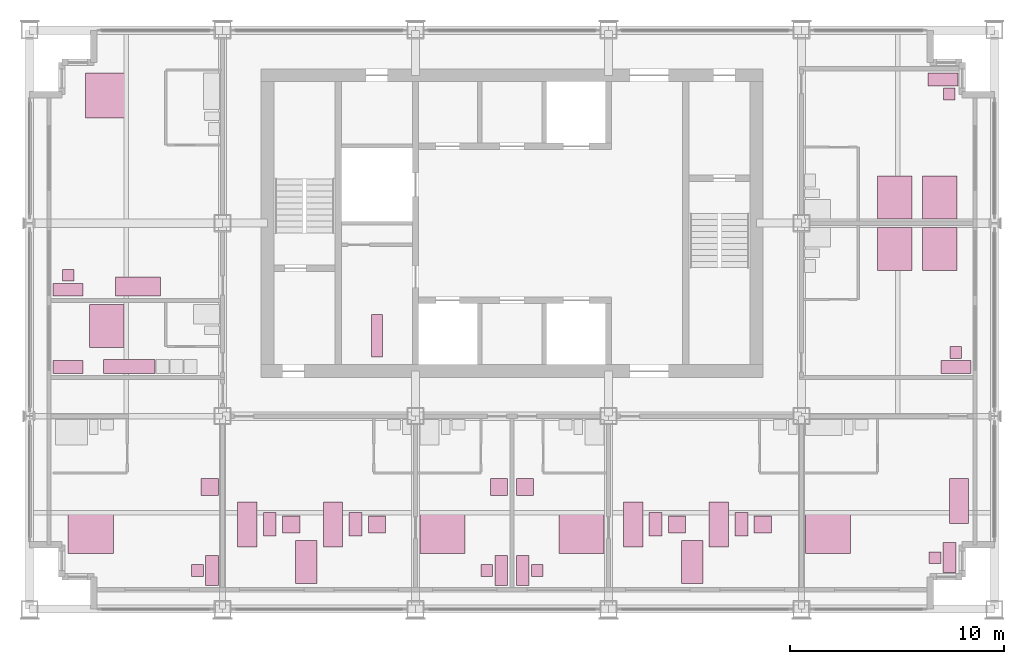
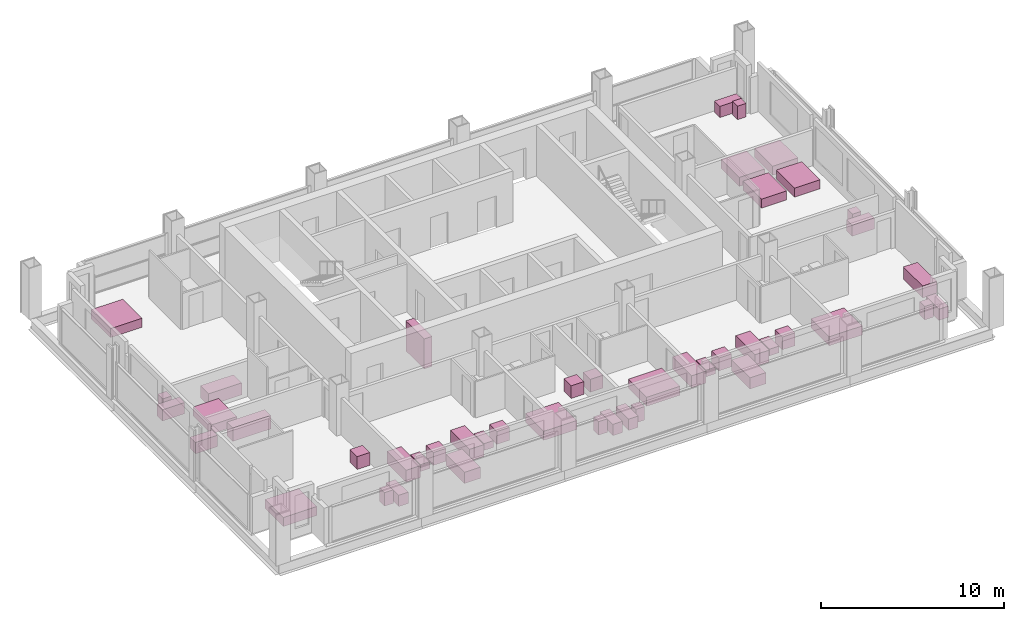
# One storey, part 13 of 13: 46 furniture elements.
"""IFC4 building model written with IfcOpenShell, lengths in metres."""

from ifc_helpers import new_model, si_unit, direction, frame, origin, origin_2d, place, context, subcontext, project, spatial, rectangle, extrude, element, save


model = new_model("IFC4")

# Units and contexts
model_context = context("Model", 3, precision=1e-05, world=origin(), true_north=direction((0.0, 1.0)))
body_context = subcontext(model_context, "Body", "Model", "MODEL_VIEW")
ifc_project = project(units=[si_unit("LENGTHUNIT", "METRE"), si_unit("AREAUNIT", "SQUARE_METRE"), si_unit("VOLUMEUNIT", "CUBIC_METRE"), si_unit("PLANEANGLEUNIT", "RADIAN"), si_unit("MASSUNIT", "GRAM", prefix="KILO")], contexts=[model_context])

# Site, building, storey
site_placement = place(None, origin())
site = spatial("IfcSite", under=ifc_project, at=site_placement, CompositionType="ELEMENT")
building_placement = place(site_placement, origin())
building = spatial("IfcBuilding", under=site, at=building_placement, Name="Loomwork Tower", CompositionType="ELEMENT")
storey_placement = place(building_placement, frame((0.0, 0.0, 214.800048828125)))
storey = spatial("IfcBuildingStorey", under=building, at=storey_placement, Name="L59", CompositionType="ELEMENT", Elevation=214.800048828125)

# Furniture
furniture_1_placement = place(storey_placement, frame((2.85009765625, 3.60009765625, 0.0), z_axis=(0.0, 0.0, 1.0), x_axis=(1.0, 0.0, 0.0)))
element("IfcFurniture", 1, at=furniture_1_placement, inside=storey, Name="King bed L59", PredefinedType="BED", context=body_context, shape_type="SweptSolid", body=[
    extrude(rectangle(XDim=2.10009765625, YDim=2.0, at=origin_2d()), origin(), (0.0, 0.0, 1.0), 0.60009765625),
])
furniture_2_placement = place(storey_placement, frame((8.5, 1.800048828125, 0.0), z_axis=(0.0, 0.0, 1.0), x_axis=(1.0, 0.0, 0.0)))
element("IfcFurniture", 2, at=furniture_2_placement, inside=storey, Name="Writing desk L59", PredefinedType="DESK", context=body_context, shape_type="SweptSolid", body=[
    extrude(rectangle(XDim=0.60009765625, YDim=1.39990234375, at=origin_2d()), origin(), (0.0, 0.0, 1.0), 0.75),
])
furniture_3_placement = place(storey_placement, frame((7.824951171875, 1.800048828125, 0.0), z_axis=(0.0, 0.0, 1.0), x_axis=(1.0, 0.0, 0.0)))
element("IfcFurniture", 3, at=furniture_3_placement, inside=storey, Name="Desk chair L59", PredefinedType="CHAIR", context=body_context, shape_type="SweptSolid", body=[
    extrude(rectangle(XDim=0.550048828125, YDim=0.550048828125, at=origin_2d()), origin(), (0.0, 0.0, 1.0), 0.89990234375),
])
furniture_4_placement = place(storey_placement, frame((8.39990234375, 5.699951171875, 0.0), z_axis=(0.0, 0.0, 1.0), x_axis=(1.0, 0.0, 0.0)))
element("IfcFurniture", 4, at=furniture_4_placement, inside=storey, Name="Lounge armchair L59", PredefinedType="CHAIR", context=body_context, shape_type="SweptSolid", body=[
    extrude(rectangle(XDim=0.800048828125, YDim=0.800048828125, at=origin_2d()), origin(), (0.0, 0.0, 1.0), 0.85009765625),
])
furniture_5_placement = place(storey_placement, frame((10.14990234375, 3.949951171875, 0.0), z_axis=(0.0, 0.0, 1.0), x_axis=(1.0, 0.0, 0.0)))
element("IfcFurniture", 5, at=furniture_5_placement, inside=storey, Name="Sofa L59", PredefinedType="SOFA", context=body_context, shape_type="SweptSolid", body=[
    extrude(rectangle(XDim=0.89990234375, YDim=2.10009765625, at=origin_2d()), origin(), (0.0, 0.0, 1.0), 0.800048828125),
])
furniture_6_placement = place(storey_placement, frame((11.199951171875, 3.949951171875, 0.0), z_axis=(0.0, 0.0, 1.0), x_axis=(1.0, 0.0, 0.0)))
element("IfcFurniture", 6, at=furniture_6_placement, inside=storey, Name="Coffee table L59", PredefinedType="TABLE", context=body_context, shape_type="SweptSolid", body=[
    extrude(rectangle(XDim=0.60009765625, YDim=1.10009765625, at=origin_2d()), origin(), (0.0, 0.0, 1.0), 0.449951171875),
])
furniture_7_placement = place(storey_placement, frame((12.199951171875, 3.949951171875, 0.0), z_axis=(0.0, 0.0, 1.0), x_axis=(1.0, 0.0, 0.0)))
element("IfcFurniture", 7, at=furniture_7_placement, inside=storey, Name="Lounge armchair L59", PredefinedType="CHAIR", context=body_context, shape_type="SweptSolid", body=[
    extrude(rectangle(XDim=0.800048828125, YDim=0.800048828125, at=origin_2d()), origin(), (0.0, 0.0, 1.0), 0.85009765625),
])
furniture_8_placement = place(storey_placement, frame((14.14990234375, 3.949951171875, 0.0), z_axis=(0.0, 0.0, 1.0), x_axis=(1.0, 0.0, 0.0)))
element("IfcFurniture", 8, at=furniture_8_placement, inside=storey, Name="Sofa L59", PredefinedType="SOFA", context=body_context, shape_type="SweptSolid", body=[
    extrude(rectangle(XDim=0.89990234375, YDim=2.10009765625, at=origin_2d()), origin(), (0.0, 0.0, 1.0), 0.800048828125),
])
furniture_9_placement = place(storey_placement, frame((15.199951171875, 3.949951171875, 0.0), z_axis=(0.0, 0.0, 1.0), x_axis=(1.0, 0.0, 0.0)))
element("IfcFurniture", 9, at=furniture_9_placement, inside=storey, Name="Coffee table L59", PredefinedType="TABLE", context=body_context, shape_type="SweptSolid", body=[
    extrude(rectangle(XDim=0.60009765625, YDim=1.10009765625, at=origin_2d()), origin(), (0.0, 0.0, 1.0), 0.449951171875),
])
furniture_10_placement = place(storey_placement, frame((16.199951171875, 3.949951171875, 0.0), z_axis=(0.0, 0.0, 1.0), x_axis=(1.0, 0.0, 0.0)))
element("IfcFurniture", 10, at=furniture_10_placement, inside=storey, Name="Lounge armchair L59", PredefinedType="CHAIR", context=body_context, shape_type="SweptSolid", body=[
    extrude(rectangle(XDim=0.800048828125, YDim=0.800048828125, at=origin_2d()), origin(), (0.0, 0.0, 1.0), 0.85009765625),
])
furniture_11_placement = place(storey_placement, frame((12.89990234375, 2.199951171875, 0.0), z_axis=(0.0, 0.0, 1.0), x_axis=(1.0, 0.0, 0.0)))
element("IfcFurniture", 11, at=furniture_11_placement, inside=storey, Name="Dining table L59", PredefinedType="TABLE", context=body_context, shape_type="SweptSolid", body=[
    extrude(rectangle(XDim=1.0, YDim=2.0, at=origin_2d()), origin(), (0.0, 0.0, 1.0), 0.75),
])
furniture_12_placement = place(storey_placement, frame((19.25, 3.60009765625, 0.0), z_axis=(0.0, 0.0, 1.0), x_axis=(1.0, 0.0, 0.0)))
element("IfcFurniture", 12, at=furniture_12_placement, inside=storey, Name="King bed L59", PredefinedType="BED", context=body_context, shape_type="SweptSolid", body=[
    extrude(rectangle(XDim=2.10009765625, YDim=2.0, at=origin_2d()), origin(), (0.0, 0.0, 1.0), 0.60009765625),
])
furniture_13_placement = place(storey_placement, frame((22.0, 1.800048828125, 0.0), z_axis=(0.0, 0.0, 1.0), x_axis=(1.0, 0.0, 0.0)))
element("IfcFurniture", 13, at=furniture_13_placement, inside=storey, Name="Writing desk L59", PredefinedType="DESK", context=body_context, shape_type="SweptSolid", body=[
    extrude(rectangle(XDim=0.60009765625, YDim=1.39990234375, at=origin_2d()), origin(), (0.0, 0.0, 1.0), 0.75),
])
furniture_14_placement = place(storey_placement, frame((21.324951171875, 1.800048828125, 0.0), z_axis=(0.0, 0.0, 1.0), x_axis=(1.0, 0.0, 0.0)))
element("IfcFurniture", 14, at=furniture_14_placement, inside=storey, Name="Desk chair L59", PredefinedType="CHAIR", context=body_context, shape_type="SweptSolid", body=[
    extrude(rectangle(XDim=0.550048828125, YDim=0.550048828125, at=origin_2d()), origin(), (0.0, 0.0, 1.0), 0.89990234375),
])
furniture_15_placement = place(storey_placement, frame((21.89990234375, 5.699951171875, 0.0), z_axis=(0.0, 0.0, 1.0), x_axis=(1.0, 0.0, 0.0)))
element("IfcFurniture", 15, at=furniture_15_placement, inside=storey, Name="Lounge armchair L59", PredefinedType="CHAIR", context=body_context, shape_type="SweptSolid", body=[
    extrude(rectangle(XDim=0.800048828125, YDim=0.800048828125, at=origin_2d()), origin(), (0.0, 0.0, 1.0), 0.85009765625),
])
furniture_16_placement = place(storey_placement, frame((25.75, 3.60009765625, 0.0), z_axis=(0.0, 0.0, 1.0), x_axis=(1.0, 0.0, 0.0)))
element("IfcFurniture", 16, at=furniture_16_placement, inside=storey, Name="King bed L59", PredefinedType="BED", context=body_context, shape_type="SweptSolid", body=[
    extrude(rectangle(XDim=2.10009765625, YDim=2.0, at=origin_2d()), origin(), (0.0, 0.0, 1.0), 0.60009765625),
])
furniture_17_placement = place(storey_placement, frame((23.0, 1.800048828125, 0.0), z_axis=(0.0, 0.0, 1.0), x_axis=(1.0, 0.0, 0.0)))
element("IfcFurniture", 17, at=furniture_17_placement, inside=storey, Name="Writing desk L59", PredefinedType="DESK", context=body_context, shape_type="SweptSolid", body=[
    extrude(rectangle(XDim=0.60009765625, YDim=1.39990234375, at=origin_2d()), origin(), (0.0, 0.0, 1.0), 0.75),
])
furniture_18_placement = place(storey_placement, frame((23.675048828125, 1.800048828125, 0.0), z_axis=(0.0, 0.0, 1.0), x_axis=(1.0, 0.0, 0.0)))
element("IfcFurniture", 18, at=furniture_18_placement, inside=storey, Name="Desk chair L59", PredefinedType="CHAIR", context=body_context, shape_type="SweptSolid", body=[
    extrude(rectangle(XDim=0.550048828125, YDim=0.550048828125, at=origin_2d()), origin(), (0.0, 0.0, 1.0), 0.89990234375),
])
furniture_19_placement = place(storey_placement, frame((23.10009765625, 5.699951171875, 0.0), z_axis=(0.0, 0.0, 1.0), x_axis=(1.0, 0.0, 0.0)))
element("IfcFurniture", 19, at=furniture_19_placement, inside=storey, Name="Lounge armchair L59", PredefinedType="CHAIR", context=body_context, shape_type="SweptSolid", body=[
    extrude(rectangle(XDim=0.800048828125, YDim=0.800048828125, at=origin_2d()), origin(), (0.0, 0.0, 1.0), 0.85009765625),
])
furniture_20_placement = place(storey_placement, frame((28.14990234375, 3.949951171875, 0.0), z_axis=(0.0, 0.0, 1.0), x_axis=(1.0, 0.0, 0.0)))
element("IfcFurniture", 20, at=furniture_20_placement, inside=storey, Name="Sofa L59", PredefinedType="SOFA", context=body_context, shape_type="SweptSolid", body=[
    extrude(rectangle(XDim=0.89990234375, YDim=2.10009765625, at=origin_2d()), origin(), (0.0, 0.0, 1.0), 0.800048828125),
])
furniture_21_placement = place(storey_placement, frame((29.199951171875, 3.949951171875, 0.0), z_axis=(0.0, 0.0, 1.0), x_axis=(1.0, 0.0, 0.0)))
element("IfcFurniture", 21, at=furniture_21_placement, inside=storey, Name="Coffee table L59", PredefinedType="TABLE", context=body_context, shape_type="SweptSolid", body=[
    extrude(rectangle(XDim=0.60009765625, YDim=1.10009765625, at=origin_2d()), origin(), (0.0, 0.0, 1.0), 0.449951171875),
])
furniture_22_placement = place(storey_placement, frame((30.199951171875, 3.949951171875, 0.0), z_axis=(0.0, 0.0, 1.0), x_axis=(1.0, 0.0, 0.0)))
element("IfcFurniture", 22, at=furniture_22_placement, inside=storey, Name="Lounge armchair L59", PredefinedType="CHAIR", context=body_context, shape_type="SweptSolid", body=[
    extrude(rectangle(XDim=0.800048828125, YDim=0.800048828125, at=origin_2d()), origin(), (0.0, 0.0, 1.0), 0.85009765625),
])
furniture_23_placement = place(storey_placement, frame((32.14990234375, 3.949951171875, 0.0), z_axis=(0.0, 0.0, 1.0), x_axis=(1.0, 0.0, 0.0)))
element("IfcFurniture", 23, at=furniture_23_placement, inside=storey, Name="Sofa L59", PredefinedType="SOFA", context=body_context, shape_type="SweptSolid", body=[
    extrude(rectangle(XDim=0.89990234375, YDim=2.10009765625, at=origin_2d()), origin(), (0.0, 0.0, 1.0), 0.800048828125),
])
furniture_24_placement = place(storey_placement, frame((33.199951171875, 3.949951171875, 0.0), z_axis=(0.0, 0.0, 1.0), x_axis=(1.0, 0.0, 0.0)))
element("IfcFurniture", 24, at=furniture_24_placement, inside=storey, Name="Coffee table L59", PredefinedType="TABLE", context=body_context, shape_type="SweptSolid", body=[
    extrude(rectangle(XDim=0.60009765625, YDim=1.10009765625, at=origin_2d()), origin(), (0.0, 0.0, 1.0), 0.449951171875),
])
furniture_25_placement = place(storey_placement, frame((34.199951171875, 3.949951171875, 0.0), z_axis=(0.0, 0.0, 1.0), x_axis=(1.0, 0.0, 0.0)))
element("IfcFurniture", 25, at=furniture_25_placement, inside=storey, Name="Lounge armchair L59", PredefinedType="CHAIR", context=body_context, shape_type="SweptSolid", body=[
    extrude(rectangle(XDim=0.800048828125, YDim=0.800048828125, at=origin_2d()), origin(), (0.0, 0.0, 1.0), 0.85009765625),
])
furniture_26_placement = place(storey_placement, frame((30.89990234375, 2.199951171875, 0.0), z_axis=(0.0, 0.0, 1.0), x_axis=(1.0, 0.0, 0.0)))
element("IfcFurniture", 26, at=furniture_26_placement, inside=storey, Name="Dining table L59", PredefinedType="TABLE", context=body_context, shape_type="SweptSolid", body=[
    extrude(rectangle(XDim=1.0, YDim=2.0, at=origin_2d()), origin(), (0.0, 0.0, 1.0), 0.75),
])
furniture_27_placement = place(storey_placement, frame((37.25, 3.60009765625, 0.0), z_axis=(0.0, 0.0, 1.0), x_axis=(1.0, 0.0, 0.0)))
element("IfcFurniture", 27, at=furniture_27_placement, inside=storey, Name="King bed L59", PredefinedType="BED", context=body_context, shape_type="SweptSolid", body=[
    extrude(rectangle(XDim=2.10009765625, YDim=2.0, at=origin_2d()), origin(), (0.0, 0.0, 1.0), 0.60009765625),
])
furniture_28_placement = place(storey_placement, frame((42.89990234375, 2.39990234375, 0.0), z_axis=(0.0, 0.0, 1.0), x_axis=(1.0, 0.0, 0.0)))
element("IfcFurniture", 28, at=furniture_28_placement, inside=storey, Name="Writing desk L59", PredefinedType="DESK", context=body_context, shape_type="SweptSolid", body=[
    extrude(rectangle(XDim=0.60009765625, YDim=1.39990234375, at=origin_2d()), origin(), (0.0, 0.0, 1.0), 0.75),
])
furniture_29_placement = place(storey_placement, frame((42.22509765625, 2.39990234375, 0.0), z_axis=(0.0, 0.0, 1.0), x_axis=(1.0, 0.0, 0.0)))
element("IfcFurniture", 29, at=furniture_29_placement, inside=storey, Name="Desk chair L59", PredefinedType="CHAIR", context=body_context, shape_type="SweptSolid", body=[
    extrude(rectangle(XDim=0.550048828125, YDim=0.550048828125, at=origin_2d()), origin(), (0.0, 0.0, 1.0), 0.89990234375),
])
furniture_30_placement = place(storey_placement, frame((43.35009765625, 5.050048828125, 0.0), z_axis=(0.0, 0.0, 1.0), x_axis=(1.0, 0.0, 0.0)))
element("IfcFurniture", 30, at=furniture_30_placement, inside=storey, Name="Sofa L59", PredefinedType="SOFA", context=body_context, shape_type="SweptSolid", body=[
    extrude(rectangle(XDim=0.89990234375, YDim=2.10009765625, at=origin_2d()), origin(), (0.0, 0.0, 1.0), 0.800048828125),
])
furniture_31_placement = place(storey_placement, frame((3.60009765625, 13.199951171875, 0.0), z_axis=(0.0, 0.0, 1.0), x_axis=(1.0, 0.0, 0.0)))
element("IfcFurniture", 31, at=furniture_31_placement, inside=storey, Name="Queen bed L59", PredefinedType="BED", context=body_context, shape_type="SweptSolid", body=[
    extrude(rectangle(XDim=1.60009765625, YDim=2.0, at=origin_2d()), origin(), (0.0, 0.0, 1.0), 0.60009765625),
])
furniture_32_placement = place(storey_placement, frame((1.800048828125, 11.300048828125, 0.0), z_axis=(0.0, 0.0, 1.0), x_axis=(1.0, 0.0, 0.0)))
element("IfcFurniture", 32, at=furniture_32_placement, inside=storey, Name="Writing desk L59", PredefinedType="DESK", context=body_context, shape_type="SweptSolid", body=[
    extrude(rectangle(XDim=1.39990234375, YDim=0.60009765625, at=origin_2d()), origin(), (0.0, 0.0, 1.0), 0.75),
])
furniture_33_placement = place(storey_placement, frame((4.64990234375, 11.324951171875, 0.0), z_axis=(0.0, 0.0, 1.0), x_axis=(1.0, 0.0, 0.0)))
element("IfcFurniture", 33, at=furniture_33_placement, inside=storey, Name="Kitchenette counter L59", ObjectType="KITCHENETTE", PredefinedType="USERDEFINED", context=body_context, shape_type="SweptSolid", body=[
    extrude(rectangle(XDim=2.39990234375, YDim=0.64990234375, at=origin_2d()), origin(), (0.0, 0.0, 1.0), 0.89990234375),
])
furniture_34_placement = place(storey_placement, frame((3.60009765625, 23.949951171875, 0.0), z_axis=(0.0, 0.0, 1.0), x_axis=(1.0, 0.0, 0.0)))
element("IfcFurniture", 34, at=furniture_34_placement, inside=storey, Name="King bed L59", PredefinedType="BED", context=body_context, shape_type="SweptSolid", body=[
    extrude(rectangle(XDim=2.0, YDim=2.10009765625, at=origin_2d()), origin(), (0.0, 0.0, 1.0), 0.60009765625),
])
furniture_35_placement = place(storey_placement, frame((1.800048828125, 14.89990234375, 0.0), z_axis=(0.0, 0.0, 1.0), x_axis=(1.0, 0.0, 0.0)))
element("IfcFurniture", 35, at=furniture_35_placement, inside=storey, Name="Writing desk L59", PredefinedType="DESK", context=body_context, shape_type="SweptSolid", body=[
    extrude(rectangle(XDim=1.39990234375, YDim=0.60009765625, at=origin_2d()), origin(), (0.0, 0.0, 1.0), 0.75),
])
furniture_36_placement = place(storey_placement, frame((1.800048828125, 15.574951171875, 0.0), z_axis=(0.0, 0.0, 1.0), x_axis=(1.0, 0.0, 0.0)))
element("IfcFurniture", 36, at=furniture_36_placement, inside=storey, Name="Desk chair L59", PredefinedType="CHAIR", context=body_context, shape_type="SweptSolid", body=[
    extrude(rectangle(XDim=0.550048828125, YDim=0.550048828125, at=origin_2d()), origin(), (0.0, 0.0, 1.0), 0.89990234375),
])
furniture_37_placement = place(storey_placement, frame((5.050048828125, 15.050048828125, 0.0), z_axis=(0.0, 0.0, 1.0), x_axis=(1.0, 0.0, 0.0)))
element("IfcFurniture", 37, at=furniture_37_placement, inside=storey, Name="Sofa L59", PredefinedType="SOFA", context=body_context, shape_type="SweptSolid", body=[
    extrude(rectangle(XDim=2.10009765625, YDim=0.89990234375, at=origin_2d()), origin(), (0.0, 0.0, 1.0), 0.800048828125),
])
for number, where, z_axis, x_axis, name in (
    (38, (40.35009765625, 16.800048828125, 0.0), (0.0, 0.0, 1.0), (1.0, 0.0, 0.0), "Queen bed L59"),
    (39, (42.449951171875, 16.800048828125, 0.0), (0.0, 0.0, 1.0), (1.0, 0.0, 0.0), "Queen bed L59"),
):
    element("IfcFurniture", number, at=place(storey_placement, frame(where, z_axis=z_axis, x_axis=x_axis)), inside=storey, Name=name, PredefinedType="BED", context=body_context, shape_type="SweptSolid", body=[
        extrude(rectangle(XDim=1.60009765625, YDim=2.0, at=origin_2d()), origin(), (0.0, 0.0, 1.0), 0.60009765625),
    ])
furniture_38_placement = place(storey_placement, frame((43.199951171875, 11.300048828125, 0.0), z_axis=(0.0, 0.0, 1.0), x_axis=(1.0, 0.0, 0.0)))
element("IfcFurniture", 40, at=furniture_38_placement, inside=storey, Name="Writing desk L59", PredefinedType="DESK", context=body_context, shape_type="SweptSolid", body=[
    extrude(rectangle(XDim=1.39990234375, YDim=0.60009765625, at=origin_2d()), origin(), (0.0, 0.0, 1.0), 0.75),
])
furniture_39_placement = place(storey_placement, frame((43.199951171875, 11.97509765625, 0.0), z_axis=(0.0, 0.0, 1.0), x_axis=(1.0, 0.0, 0.0)))
element("IfcFurniture", 41, at=furniture_39_placement, inside=storey, Name="Desk chair L59", PredefinedType="CHAIR", context=body_context, shape_type="SweptSolid", body=[
    extrude(rectangle(XDim=0.550048828125, YDim=0.550048828125, at=origin_2d()), origin(), (0.0, 0.0, 1.0), 0.89990234375),
])
for number, where, z_axis, x_axis, name in (
    (42, (40.35009765625, 19.199951171875, 0.0), (0.0, 0.0, 1.0), (1.0, 0.0, 0.0), "Queen bed L59"),
    (43, (42.449951171875, 19.199951171875, 0.0), (0.0, 0.0, 1.0), (1.0, 0.0, 0.0), "Queen bed L59"),
):
    element("IfcFurniture", number, at=place(storey_placement, frame(where, z_axis=z_axis, x_axis=x_axis)), inside=storey, Name=name, PredefinedType="BED", context=body_context, shape_type="SweptSolid", body=[
        extrude(rectangle(XDim=1.60009765625, YDim=2.0, at=origin_2d()), origin(), (0.0, 0.0, 1.0), 0.60009765625),
    ])
furniture_40_placement = place(storey_placement, frame((42.60009765625, 24.699951171875, 0.0), z_axis=(0.0, 0.0, 1.0), x_axis=(1.0, 0.0, 0.0)))
element("IfcFurniture", 44, at=furniture_40_placement, inside=storey, Name="Writing desk L59", PredefinedType="DESK", context=body_context, shape_type="SweptSolid", body=[
    extrude(rectangle(XDim=1.39990234375, YDim=0.60009765625, at=origin_2d()), origin(), (0.0, 0.0, 1.0), 0.75),
])
furniture_41_placement = place(storey_placement, frame((42.89990234375, 24.02490234375, 0.0), z_axis=(0.0, 0.0, 1.0), x_axis=(1.0, 0.0, 0.0)))
element("IfcFurniture", 45, at=furniture_41_placement, inside=storey, Name="Desk chair L59", PredefinedType="CHAIR", context=body_context, shape_type="SweptSolid", body=[
    extrude(rectangle(XDim=0.550048828125, YDim=0.550048828125, at=origin_2d()), origin(), (0.0, 0.0, 1.0), 0.89990234375),
])
furniture_42_placement = place(storey_placement, frame((16.199951171875, 12.75, 0.0), z_axis=(0.0, 0.0, 1.0), x_axis=(1.0, 0.0, 0.0)))
element("IfcFurniture", 46, at=furniture_42_placement, inside=storey, Name="Linen shelving L59", PredefinedType="SHELF", context=body_context, shape_type="SweptSolid", body=[
    extrude(rectangle(XDim=0.5, YDim=2.0, at=origin_2d()), origin(), (0.0, 0.0, 1.0), 2.0),
])

save(model, "model.ifc")
